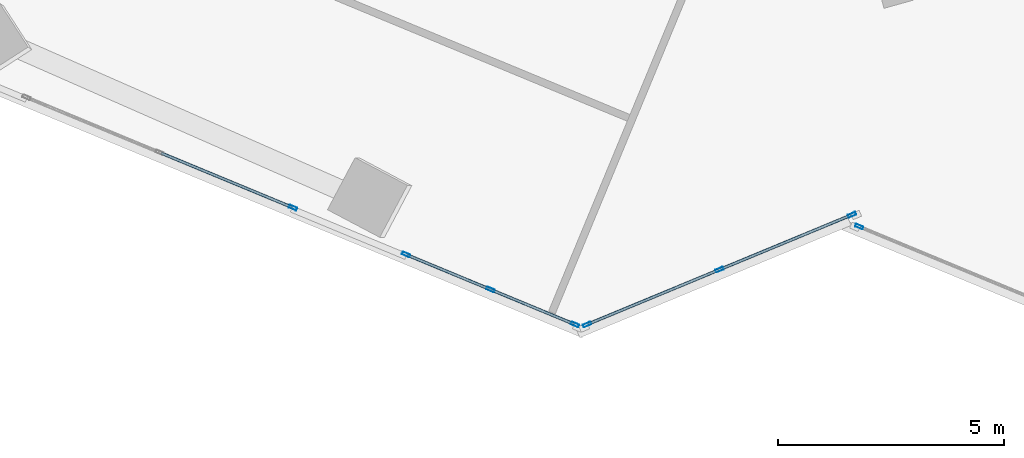
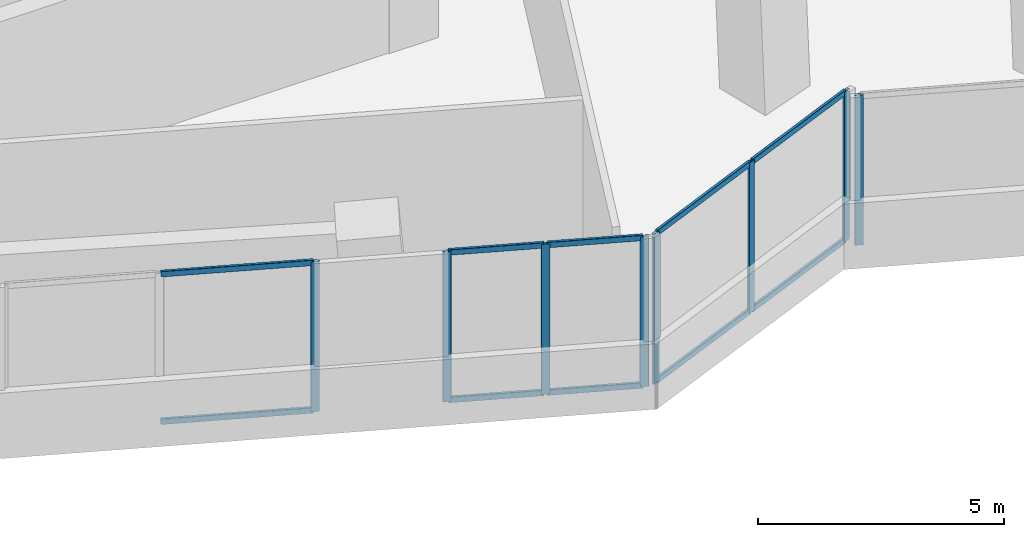
# One storey, part 4 of 23: 18 members, 4 elements without a shape of their own.
"""IFC4 building model written with IfcOpenShell, lengths in metres."""

from ifc_helpers import new_model, si_unit, direction, frame, origin, origin_2d, place, context, subcontext, project, spatial, hollow_rectangle, extrude, source, transform, mapped, material, material_profile, profile_set, type_object, element, aggregate, save


model = new_model("IFC4")

# Units and contexts
model_context = context("Model", 3, precision=1e-05, world=origin(), true_north=direction((0.0, 1.0)))
body_context = subcontext(model_context, "Body", "Model", "MODEL_VIEW")
ifc_project = project(units=[si_unit("LENGTHUNIT", "METRE"), si_unit("AREAUNIT", "SQUARE_METRE"), si_unit("VOLUMEUNIT", "CUBIC_METRE"), si_unit("PLANEANGLEUNIT", "RADIAN"), si_unit("MASSUNIT", "GRAM", prefix="KILO")], contexts=[model_context])

# Site, building, storey
site_placement = place(None, origin())
site = spatial("IfcSite", under=ifc_project, at=site_placement, CompositionType="ELEMENT")
building_placement = place(site_placement, origin())
building = spatial("IfcBuilding", under=site, at=building_placement, Name="Torre Montelarca", CompositionType="ELEMENT")
storey_placement = place(building_placement, frame((0.0, 0.0, 145.60009765625)))
storey = spatial("IfcBuildingStorey", under=building, at=storey_placement, Name="L32", CompositionType="ELEMENT", Elevation=145.60009765625)

# Curtain wall, members
ifc_material_1 = material(Name="Insulated low-E laminated glass", Category="glass")
curtain_wall_type = type_object("IfcCurtainWallType", Name="CW-SYS-Z2", PredefinedType="USERDEFINED", material=ifc_material_1)
curtain_wall_1_placement = place(storey_placement, origin())
curtain_wall_1 = element("IfcCurtainWall", 1, at=curtain_wall_1_placement, inside=storey, type_object=curtain_wall_type, Name="L32 Curtain Wall Run CW-T3-L32-E02-B1", ObjectType="UNITISED GLAZING", PredefinedType="USERDEFINED")
ifc_material_2 = material(Name="Anodised aluminium AA 6063-T6", Category="aluminium")
ifc_material_profile_1 = material_profile(ifc_material_2, hollow_rectangle(XDim=0.06494140625, YDim=0.139892578125, WallThickness=0.00390625, InnerFilletRadius=0.00390625, OuterFilletRadius=0.008056640625, at=origin_2d()), Name="ALU65X140X4", Category="aluminium")
ifc_profile_set_1 = profile_set([ifc_material_profile_1], Name="Anodised aluminium AA 6063-T6")
member_type_1 = type_object("IfcMemberType", Name="CWT-ALU140", PredefinedType="USERDEFINED", material=ifc_profile_set_1)
shared_shape_1 = source(origin(), body_context, "Body", "SweptSolid", [
    extrude(hollow_rectangle(XDim=0.06494140625, YDim=0.139892578125, WallThickness=0.00390625, InnerFilletRadius=0.00390625, OuterFilletRadius=0.008056640625, at=origin_2d()), origin(), (0.0, 0.0, 1.0), 3.102294921875),
])
member_1_placement = place(storey_placement, frame((24.76904296875, 11.22265625, 0.032470703125), z_axis=(0.923875838222, 0.382692351046, 0.0), x_axis=(-0.382692351046, 0.923875838222, 0.0)))
member_1 = element("IfcMember", 2, at=member_1_placement, type_object=member_type_1, Name="CW transom 1.1", ObjectType="TRANSOM", PredefinedType="USERDEFINED", context=body_context, shape_type="MappedRepresentation", body=[
    mapped(shared_shape_1, transform((0.0, 0.0, 0.0), scale=1.0)),
])
member_2_placement = place(storey_placement, frame((24.76904296875, 11.22265625, 3.6875), z_axis=(0.923875838222, 0.382692351046, 0.0), x_axis=(-0.382692351046, 0.923875838222, 0.0)))
member_2 = element("IfcMember", 3, at=member_2_placement, type_object=member_type_1, Name="CW transom 1.2", ObjectType="TRANSOM", PredefinedType="USERDEFINED", context=body_context, shape_type="MappedRepresentation", body=[
    mapped(shared_shape_1, transform((0.0, 0.0, 0.0), scale=1.0)),
])
shared_shape_2 = source(origin(), body_context, "Body", "SweptSolid", [
    extrude(hollow_rectangle(XDim=0.06494140625, YDim=0.139892578125, WallThickness=0.00390625, InnerFilletRadius=0.00390625, OuterFilletRadius=0.008056640625, at=origin_2d()), origin(), (0.0, 0.0, 1.0), 3.1025390625),
])
member_3_placement = place(storey_placement, frame((27.6953125, 12.4345703125, 0.032470703125), z_axis=(0.923887362076, 0.382664529578, 0.0), x_axis=(-0.382664529578, 0.923887362076, 0.0)))
member_3 = element("IfcMember", 4, at=member_3_placement, type_object=member_type_1, Name="CW transom 2.1", ObjectType="TRANSOM", PredefinedType="USERDEFINED", context=body_context, shape_type="MappedRepresentation", body=[
    mapped(shared_shape_2, transform((0.0, 0.0, 0.0), scale=1.0)),
])
member_4_placement = place(storey_placement, frame((27.6953125, 12.4345703125, 3.6875), z_axis=(0.923887362076, 0.382664529578, 0.0), x_axis=(-0.382664529578, 0.923887362076, 0.0)))
member_4 = element("IfcMember", 5, at=member_4_placement, type_object=member_type_1, Name="CW transom 2.2", ObjectType="TRANSOM", PredefinedType="USERDEFINED", context=body_context, shape_type="MappedRepresentation", body=[
    mapped(shared_shape_2, transform((0.0, 0.0, 0.0), scale=1.0)),
])

# Curtain wall, member
curtain_wall_2_placement = place(storey_placement, origin())
curtain_wall_2 = element("IfcCurtainWall", 6, at=curtain_wall_2_placement, inside=storey, type_object=curtain_wall_type, Name="L32 Curtain Wall Run CW-T3-L32-E01-B2", ObjectType="UNITISED GLAZING", PredefinedType="USERDEFINED")
ifc_material_profile_2 = material_profile(ifc_material_2, hollow_rectangle(XDim=0.06494140625, YDim=0.179931640625, WallThickness=0.00390625, InnerFilletRadius=0.00390625, OuterFilletRadius=0.008056640625, at=origin_2d()), Name="ALU65X180X4", Category="aluminium")
ifc_profile_set_2 = profile_set([ifc_material_profile_2], Name="Anodised aluminium AA 6063-T6")
member_type_2 = type_object("IfcMemberType", Name="CWM-ALU180", PredefinedType="MULLION", material=ifc_profile_set_2)
shared_shape_3 = source(origin(), body_context, "Body", "SweptSolid", [
    extrude(hollow_rectangle(XDim=0.06494140625, YDim=0.179931640625, WallThickness=0.00390625, InnerFilletRadius=0.00390625, OuterFilletRadius=0.008056640625, at=origin_2d()), origin(), (0.0, 0.0, 1.0), 3.719970703125),
])
member_5_placement = place(storey_placement, frame((18.244384765625, 13.78955078125, 0.0), z_axis=(0.0, 0.0, 1.0), x_axis=(0.382682377839, 0.92387996931, 0.0)))
member_5 = element("IfcMember", 7, at=member_5_placement, type_object=member_type_2, Name="CW mullion 3", PredefinedType="MULLION", context=body_context, shape_type="MappedRepresentation", body=[
    mapped(shared_shape_3, transform((0.0, 0.0, 0.0), scale=1.0)),
])

# Curtain wall, members
curtain_wall_3_placement = place(storey_placement, origin())
curtain_wall_3 = element("IfcCurtainWall", 8, at=curtain_wall_3_placement, inside=storey, type_object=curtain_wall_type, Name="L32 Curtain Wall Run CW-T3-L32-E01-B3", ObjectType="UNITISED GLAZING", PredefinedType="USERDEFINED")
member_6_placement = place(storey_placement, frame((20.740234375, 12.755859375, 0.0), z_axis=(0.0, 0.0, 1.0), x_axis=(0.382668132611, 0.923885869728, 0.0)))
member_6 = element("IfcMember", 9, at=member_6_placement, type_object=member_type_2, Name="CW mullion 1", PredefinedType="MULLION", context=body_context, shape_type="MappedRepresentation", body=[
    mapped(shared_shape_3, transform((0.0, 0.0, 0.0), scale=1.0)),
])
member_7_placement = place(storey_placement, frame((22.60595703125, 11.98291015625, 0.0), z_axis=(0.0, 0.0, 1.0), x_axis=(0.382668132611, 0.923885869728, 0.0)))
member_7 = element("IfcMember", 10, at=member_7_placement, type_object=member_type_2, Name="CW mullion 2", PredefinedType="MULLION", context=body_context, shape_type="MappedRepresentation", body=[
    mapped(shared_shape_3, transform((0.0, 0.0, 0.0), scale=1.0)),
])
member_8_placement = place(storey_placement, frame((24.471923828125, 11.210205078125, 0.0), z_axis=(0.0, 0.0, 1.0), x_axis=(0.382668132611, 0.923885869728, 0.0)))
member_8 = element("IfcMember", 11, at=member_8_placement, type_object=member_type_2, Name="CW mullion 3", PredefinedType="MULLION", context=body_context, shape_type="MappedRepresentation", body=[
    mapped(shared_shape_3, transform((0.0, 0.0, 0.0), scale=1.0)),
])

# Member
member_9_placement = place(storey_placement, frame((24.739013671875, 11.210205078125, 0.0), z_axis=(0.0, 0.0, 1.0), x_axis=(-0.382669645783, 0.92388524298, 0.0)))
member_9 = element("IfcMember", 12, at=member_9_placement, type_object=member_type_2, Name="CW mullion 1", PredefinedType="MULLION", context=body_context, shape_type="MappedRepresentation", body=[
    mapped(shared_shape_3, transform((0.0, 0.0, 0.0), scale=1.0)),
])

member_10_placement = place(storey_placement, frame((27.665283203125, 12.42236328125, 0.0), z_axis=(0.0, 0.0, 1.0), x_axis=(-0.382669645783, 0.92388524298, 0.0)))
member_10 = element("IfcMember", 13, at=member_10_placement, type_object=member_type_2, Name="CW mullion 2", PredefinedType="MULLION", context=body_context, shape_type="MappedRepresentation", body=[
    mapped(shared_shape_3, transform((0.0, 0.0, 0.0), scale=1.0)),
])

member_11_placement = place(storey_placement, frame((30.591796875, 13.63427734375, 0.0), z_axis=(0.0, 0.0, 1.0), x_axis=(-0.382669645783, 0.92388524298, 0.0)))
member_11 = element("IfcMember", 14, at=member_11_placement, type_object=member_type_2, Name="CW mullion 3", PredefinedType="MULLION", context=body_context, shape_type="MappedRepresentation", body=[
    mapped(shared_shape_3, transform((0.0, 0.0, 0.0), scale=1.0)),
])

aggregate(curtain_wall_1, [member_9, member_10, member_11, member_1, member_2, member_3, member_4])

# Curtain wall, member
curtain_wall_4_placement = place(storey_placement, origin())
curtain_wall_4 = element("IfcCurtainWall", 15, at=curtain_wall_4_placement, inside=storey, type_object=curtain_wall_type, Name="L32 Curtain Wall Run CW-T3-L32-E04-B1", ObjectType="UNITISED GLAZING", PredefinedType="USERDEFINED")
member_12_placement = place(storey_placement, frame((30.750244140625, 13.3720703125, 0.0), z_axis=(0.0, 0.0, 1.0), x_axis=(0.382671218228, 0.923884591678, 0.0)))
member_12 = element("IfcMember", 16, at=member_12_placement, type_object=member_type_2, Name="CW mullion 1", PredefinedType="MULLION", context=body_context, shape_type="MappedRepresentation", body=[
    mapped(shared_shape_3, transform((0.0, 0.0, 0.0), scale=1.0)),
])
aggregate(curtain_wall_4, [member_12])

# Member
shared_shape_4 = source(origin(), body_context, "Body", "SweptSolid", [
    extrude(hollow_rectangle(XDim=0.06494140625, YDim=0.139892578125, WallThickness=0.00390625, InnerFilletRadius=0.00390625, OuterFilletRadius=0.008056640625, at=origin_2d()), origin(), (0.0, 0.0, 1.0), 1.95458984375),
])
member_13_placement = place(storey_placement, frame((20.770263671875, 12.743408203125, 0.032470703125), z_axis=(0.923858487526, -0.382734235503, 0.0), x_axis=(0.382734235503, 0.923858487526, 0.0)))
member_13 = element("IfcMember", 17, at=member_13_placement, type_object=member_type_1, Name="CW transom 1.1", ObjectType="TRANSOM", PredefinedType="USERDEFINED", context=body_context, shape_type="MappedRepresentation", body=[
    mapped(shared_shape_4, transform((0.0, 0.0, 0.0), scale=1.0)),
])

member_14_placement = place(storey_placement, frame((20.770263671875, 12.743408203125, 3.6875), z_axis=(0.923858487526, -0.382734235503, 0.0), x_axis=(0.382734235503, 0.923858487526, 0.0)))
member_14 = element("IfcMember", 18, at=member_14_placement, type_object=member_type_1, Name="CW transom 1.2", ObjectType="TRANSOM", PredefinedType="USERDEFINED", context=body_context, shape_type="MappedRepresentation", body=[
    mapped(shared_shape_4, transform((0.0, 0.0, 0.0), scale=1.0)),
])

member_15_placement = place(storey_placement, frame((22.635986328125, 11.970458984375, 0.032470703125), z_axis=(0.923920937345, -0.382583456954, 0.0), x_axis=(0.382583456954, 0.923920937345, 0.0)))
member_15 = element("IfcMember", 19, at=member_15_placement, type_object=member_type_1, Name="CW transom 2.1", ObjectType="TRANSOM", PredefinedType="USERDEFINED", context=body_context, shape_type="MappedRepresentation", body=[
    mapped(shared_shape_4, transform((0.0, 0.0, 0.0), scale=1.0)),
])

member_16_placement = place(storey_placement, frame((22.635986328125, 11.970458984375, 3.6875), z_axis=(0.923920937345, -0.382583456954, 0.0), x_axis=(0.382583456954, 0.923920937345, 0.0)))
member_16 = element("IfcMember", 20, at=member_16_placement, type_object=member_type_1, Name="CW transom 2.2", ObjectType="TRANSOM", PredefinedType="USERDEFINED", context=body_context, shape_type="MappedRepresentation", body=[
    mapped(shared_shape_4, transform((0.0, 0.0, 0.0), scale=1.0)),
])

aggregate(curtain_wall_3, [member_6, member_7, member_8, member_13, member_14, member_15, member_16])

shared_shape_5 = source(origin(), body_context, "Body", "SweptSolid", [
    extrude(hollow_rectangle(XDim=0.06494140625, YDim=0.139892578125, WallThickness=0.00390625, InnerFilletRadius=0.00390625, OuterFilletRadius=0.008056640625, at=origin_2d()), origin(), (0.0, 0.0, 1.0), 3.121826171875),
])
member_17_placement = place(storey_placement, frame((15.330322265625, 14.996826171875, 0.032470703125), z_axis=(0.923854778447, -0.382743188497, 0.0), x_axis=(0.382743188497, 0.923854778447, 0.0)))
member_17 = element("IfcMember", 21, at=member_17_placement, type_object=member_type_1, Name="CW transom 2.1", ObjectType="TRANSOM", PredefinedType="USERDEFINED", context=body_context, shape_type="MappedRepresentation", body=[
    mapped(shared_shape_5, transform((0.0, 0.0, 0.0), scale=1.0)),
])

member_18_placement = place(storey_placement, frame((15.330322265625, 14.996826171875, 3.6875), z_axis=(0.923854778447, -0.382743188497, 0.0), x_axis=(0.382743188497, 0.923854778447, 0.0)))
member_18 = element("IfcMember", 22, at=member_18_placement, type_object=member_type_1, Name="CW transom 2.2", ObjectType="TRANSOM", PredefinedType="USERDEFINED", context=body_context, shape_type="MappedRepresentation", body=[
    mapped(shared_shape_5, transform((0.0, 0.0, 0.0), scale=1.0)),
])

aggregate(curtain_wall_2, [member_5, member_17, member_18])

save(model, "model.ifc")
